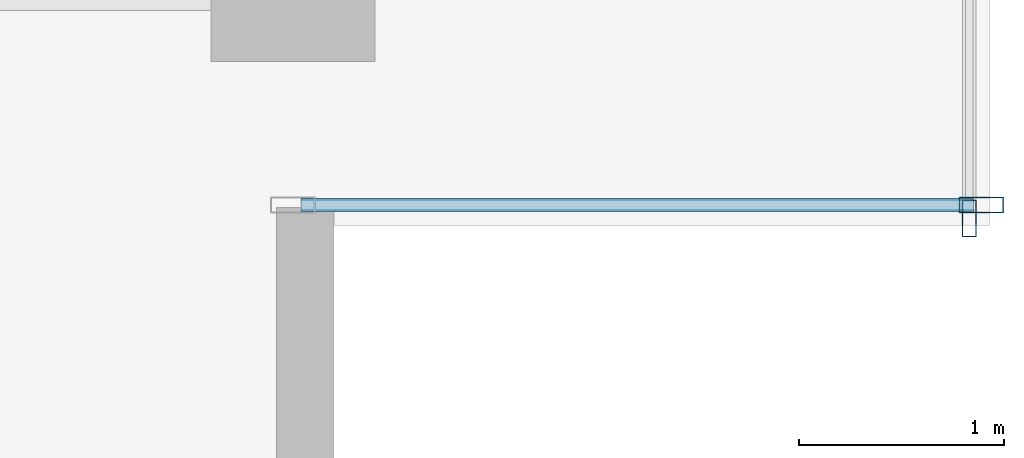
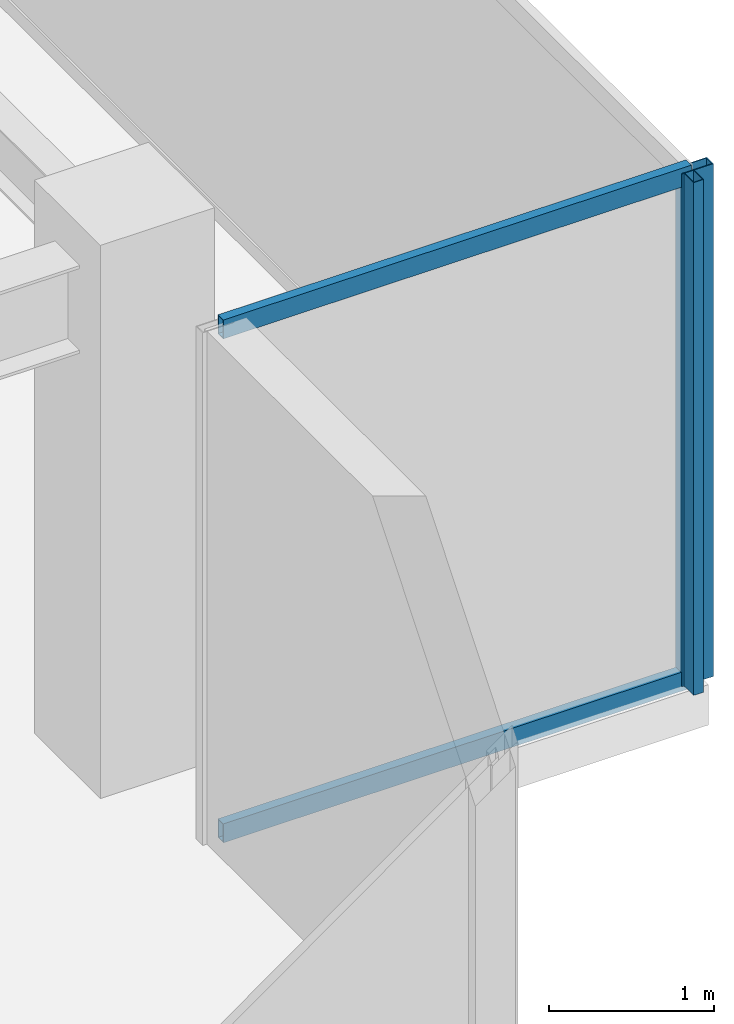
# One storey, part 22 of 33: 4 members, 2 elements without a shape of their own.
"""IFC4 building model written with IfcOpenShell, lengths in metres."""

from ifc_helpers import new_model, si_unit, direction, frame, origin, origin_2d, place, context, subcontext, project, spatial, hollow_rectangle, extrude, source, transform, mapped, material, layer, layer_set, material_profile, profile_set, type_object, type_shapes, element, aggregate, save


model = new_model("IFC4")

# Units and contexts
model_context = context("Model", 3, precision=1e-05, world=origin(), true_north=direction((0.0, 1.0)))
body_context = subcontext(model_context, "Body", "Model", "MODEL_VIEW")
ifc_project = project(units=[si_unit("LENGTHUNIT", "METRE"), si_unit("AREAUNIT", "SQUARE_METRE"), si_unit("VOLUMEUNIT", "CUBIC_METRE"), si_unit("PLANEANGLEUNIT", "RADIAN"), si_unit("MASSUNIT", "GRAM", prefix="KILO")], contexts=[model_context])

# Site, building, storey
site_placement = place(None, origin())
site = spatial("IfcSite", under=ifc_project, at=site_placement, CompositionType="ELEMENT")
building_placement = place(site_placement, origin())
building = spatial("IfcBuilding", under=site, at=building_placement, Name="Haelvirn Gate Laboratories", CompositionType="ELEMENT")
storey_placement = place(building_placement, frame((0.0, 0.0, 279.300048828125)))
storey = spatial("IfcBuildingStorey", under=building, at=storey_placement, Name="L67", CompositionType="ELEMENT", Elevation=279.300048828125)

# Curtain wall, members
ifc_material_1 = material(Name="Anodised bronze unitised aluminium & triple low-E glass", Category="aluminium")
ifc_layer_1 = layer(ifc_material_1, 0.181884765625, Name="CW-SYS-5")
ifc_layer_set_1 = layer_set([ifc_layer_1], Name="Anodised bronze unitised aluminium & triple low-E glass")
curtain_wall_type_1 = type_object("IfcCurtainWallType", Name="CW-SYS-5", PredefinedType="NOTDEFINED", material=ifc_layer_set_1)
curtain_wall_1_placement = place(storey_placement, origin())
curtain_wall_1 = element("IfcCurtainWall", 1, at=curtain_wall_1_placement, inside=storey, type_object=curtain_wall_type_1, Name="L67 Unitised Curtain Wall CW-L67-P0-E06-1", PredefinedType="NOTDEFINED")
ifc_material_2 = material(Name="Extruded aluminium 6063-T6 (anodised bronze)", Category="aluminium")
ifc_material_profile_1 = material_profile(ifc_material_2, hollow_rectangle(XDim=0.06494140625, YDim=0.139892578125, WallThickness=0.00390625, at=origin_2d()), Name="CWT-140x65x4")
ifc_profile_set_1 = profile_set([ifc_material_profile_1], Name="Extruded aluminium 6063-T6 (anodised bronze)")
member_type_1 = type_object("IfcMemberType", Name="CWT-T140", PredefinedType="USERDEFINED", material=ifc_profile_set_1)
shared_shape_1 = source(origin(), body_context, "Body", "SweptSolid", [
    extrude(hollow_rectangle(XDim=0.06494140625, YDim=0.139892578125, WallThickness=0.00390625, at=origin_2d()), origin(), (0.0, 0.0, 1.0), 3.280029296875),
])
type_shapes(member_type_1, [shared_shape_1])
member_1_placement = place(storey_placement, frame((67.43994140625, 5.89990234375, 0.032470703125), z_axis=(1.0, 0.0, 0.0), x_axis=(0.0, 1.0, 0.0)))
member_1 = element("IfcMember", 2, at=member_1_placement, type_object=member_type_1, Name="CW5 transom 1.1", ObjectType="TRANSOM", PredefinedType="USERDEFINED", context=body_context, shape_type="MappedRepresentation", body=[
    mapped(shared_shape_1, transform((0.0, 0.0, 0.0), scale=1.0)),
])
member_2_placement = place(storey_placement, frame((67.43994140625, 5.89990234375, 3.767333984375), z_axis=(1.0, 0.0, 0.0), x_axis=(0.0, 1.0, 0.0)))
member_2 = element("IfcMember", 3, at=member_2_placement, type_object=member_type_1, Name="CW5 transom 1.2", ObjectType="TRANSOM", PredefinedType="USERDEFINED", context=body_context, shape_type="MappedRepresentation", body=[
    mapped(shared_shape_1, transform((0.0, 0.0, 0.0), scale=1.0)),
])

# Curtain wall, member
ifc_layer_2 = layer(ifc_material_1, 0.176025390625, Name="CW-SYS-4")
ifc_layer_set_2 = layer_set([ifc_layer_2], Name="Anodised bronze unitised aluminium & triple low-E glass")
curtain_wall_type_2 = type_object("IfcCurtainWallType", Name="CW-SYS-4", PredefinedType="NOTDEFINED", material=ifc_layer_set_2)
curtain_wall_2_placement = place(storey_placement, origin())
curtain_wall_2 = element("IfcCurtainWall", 4, at=curtain_wall_2_placement, inside=storey, type_object=curtain_wall_type_2, Name="L67 Unitised Curtain Wall CW-L67-P0-E07", PredefinedType="NOTDEFINED")
ifc_material_profile_2 = material_profile(ifc_material_2, hollow_rectangle(XDim=0.070068359375, YDim=0.179931640625, WallThickness=0.0048828125, at=origin_2d()), Name="CWM-180x70x5")
ifc_profile_set_2 = profile_set([ifc_material_profile_2], Name="Extruded aluminium 6063-T6 (anodised bronze)")
member_type_2 = type_object("IfcMemberType", Name="CWM-T180", PredefinedType="MULLION", material=ifc_profile_set_2)
shared_shape_2 = source(origin(), body_context, "Body", "SweptSolid", [
    extrude(hollow_rectangle(XDim=0.070068359375, YDim=0.179931640625, WallThickness=0.0048828125, at=origin_2d()), origin(), (0.0, 0.0, 1.0), 3.800048828125),
])
type_shapes(member_type_2, [shared_shape_2])
member_3_placement = place(storey_placement, frame((70.699951171875, 5.8349609375, 0.0), z_axis=(0.0, 0.0, 1.0), x_axis=(-1.0, 0.0, 0.0)))
member_3 = element("IfcMember", 5, at=member_3_placement, type_object=member_type_2, Name="CW4 mullion 1", PredefinedType="MULLION", context=body_context, shape_type="MappedRepresentation", body=[
    mapped(shared_shape_2, transform((0.0, 0.0, 0.0), scale=1.0)),
])
aggregate(curtain_wall_2, [member_3])

# Member
ifc_material_profile_3 = material_profile(ifc_material_2, hollow_rectangle(XDim=0.080078125, YDim=0.219970703125, WallThickness=0.006103515625, at=origin_2d()), Name="CWM-220x80x6")
ifc_profile_set_3 = profile_set([ifc_material_profile_3], Name="Extruded aluminium 6063-T6 (anodised bronze)")
member_type_3 = type_object("IfcMemberType", Name="CWM-T220", PredefinedType="MULLION", material=ifc_profile_set_3)
shared_shape_3 = source(origin(), body_context, "Body", "SweptSolid", [
    extrude(hollow_rectangle(XDim=0.080078125, YDim=0.219970703125, WallThickness=0.006103515625, at=origin_2d()), origin(), (0.0, 0.0, 1.0), 3.800048828125),
])
type_shapes(member_type_3, [shared_shape_3])
member_4_placement = place(storey_placement, frame((70.760009765625, 5.89990234375, 0.0), z_axis=(0.0, 0.0, 1.0), x_axis=(0.0, 1.0, 0.0)))
member_4 = element("IfcMember", 6, at=member_4_placement, type_object=member_type_3, Name="CW5 mullion 2", PredefinedType="MULLION", context=body_context, shape_type="MappedRepresentation", body=[
    mapped(shared_shape_3, transform((0.0, 0.0, 0.0), scale=1.0)),
])

aggregate(curtain_wall_1, [member_4, member_1, member_2])

save(model, "model.ifc")
